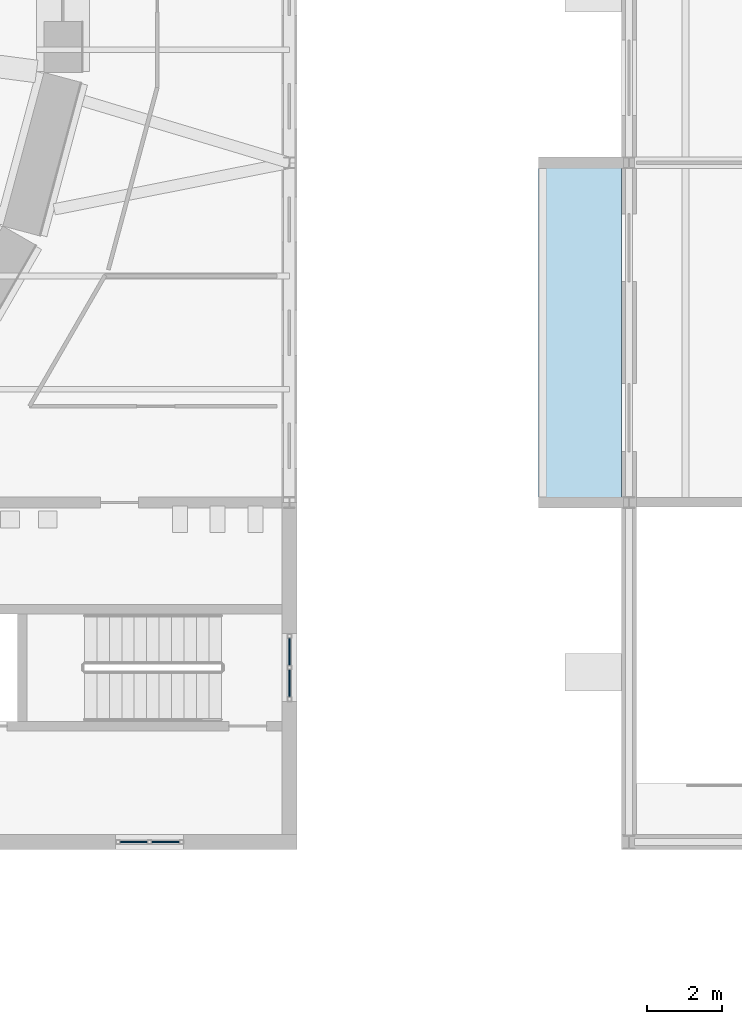
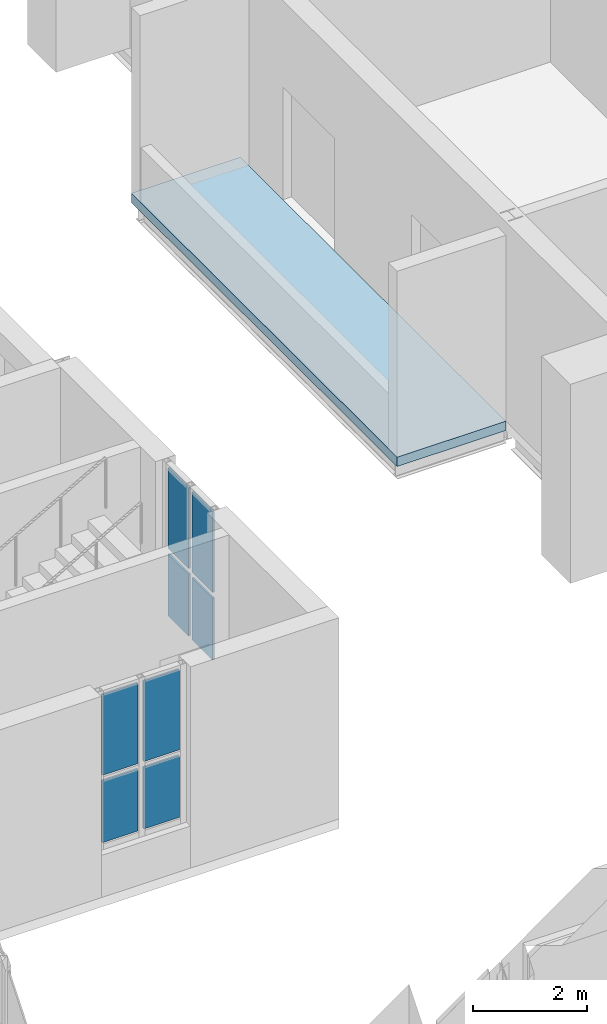
# One storey, part 68 of 131: 8 plates, 1 slab, 2 elements without a shape of their own.
"""IFC4 building model written with IfcOpenShell, lengths in metres."""

from ifc_helpers import new_model, si_unit, direction, frame, origin, origin_2d, place, context, subcontext, project, spatial, polyline, rectangle, outline, extrude, material, layer, layer_set, type_object, element, aggregate, save


model = new_model("IFC4")

# Units and contexts
model_context = context("Model", 3, precision=1e-05, world=origin(), true_north=direction((0.0, 1.0)))
body_context = subcontext(model_context, "Body", "Model", "MODEL_VIEW")
ifc_project = project(units=[si_unit("LENGTHUNIT", "METRE"), si_unit("AREAUNIT", "SQUARE_METRE"), si_unit("VOLUMEUNIT", "CUBIC_METRE"), si_unit("PLANEANGLEUNIT", "RADIAN"), si_unit("MASSUNIT", "GRAM", prefix="KILO")], contexts=[model_context])

# Site, building, storey
site_placement = place(None, origin())
site = spatial("IfcSite", under=ifc_project, at=site_placement, CompositionType="ELEMENT")
building_placement = place(site_placement, origin())
building = spatial("IfcBuilding", under=site, at=building_placement, Name="Golden Quay Civic Hall", CompositionType="ELEMENT")
storey_placement = place(building_placement, frame((0.0, 0.0, 9.89990234375)))
storey = spatial("IfcBuildingStorey", under=building, at=storey_placement, Name="L02", CompositionType="ELEMENT", Elevation=9.89990234375)

# Curtain wall, plates
ifc_material_1 = material(Name="Fire-resisting glass and steel", Category="steel")
curtain_wall_type = type_object("IfcCurtainWallType", Name="Fire-resisting glazed stair curtain wall EI 120", PredefinedType="NOTDEFINED", material=ifc_material_1)
curtain_wall_1_placement = place(storey_placement, origin())
curtain_wall_1 = element("IfcCurtainWall", 1, at=curtain_wall_1_placement, inside=storey, type_object=curtain_wall_type, Name="CW4 stair curtain wall", PredefinedType="NOTDEFINED")
ifc_material_2 = material(Name="Fire-resisting laminated glass", Category="glass")
ifc_layer_1 = layer(ifc_material_2, 0.0400390625)
ifc_layer_set_1 = layer_set([ifc_layer_1], Name="Fire-resisting glazed stair panel 40")
plate_type = type_object("IfcPlateType", Name="Fire-resisting glazed stair panel 40", PredefinedType="CURTAIN_PANEL", material=ifc_layer_set_1)
plate_1_placement = place(storey_placement, frame((103.8798828125, 63.0, 1.02001953125), z_axis=(0.0, 0.0, 1.0), x_axis=(1.0, 0.0, 0.0)))
plate_1 = element("IfcPlate", 2, at=plate_1_placement, type_object=plate_type, Name="CW4 panel 1.1", PredefinedType="CURTAIN_PANEL", context=body_context, shape_type="SweptSolid", body=[
    extrude(rectangle(XDim=0.719970703125, YDim=0.0400390625, at=origin_2d()), origin(), (0.0, 0.0, 1.0), 1.320068359375),
])
plate_2_placement = place(storey_placement, frame((103.8798828125, 63.0, 2.4599609375), z_axis=(0.0, 0.0, 1.0), x_axis=(1.0, 0.0, 0.0)))
plate_2 = element("IfcPlate", 3, at=plate_2_placement, type_object=plate_type, Name="CW4 panel 1.2", PredefinedType="CURTAIN_PANEL", context=body_context, shape_type="SweptSolid", body=[
    extrude(rectangle(XDim=0.719970703125, YDim=0.0400390625, at=origin_2d()), origin(), (0.0, 0.0, 1.0), 1.719970703125),
])
plate_3_placement = place(storey_placement, frame((104.719970703125, 63.0, 1.02001953125), z_axis=(0.0, 0.0, 1.0), x_axis=(1.0, 0.0, 0.0)))
plate_3 = element("IfcPlate", 4, at=plate_3_placement, type_object=plate_type, Name="CW4 panel 2.1", PredefinedType="CURTAIN_PANEL", context=body_context, shape_type="SweptSolid", body=[
    extrude(rectangle(XDim=0.719970703125, YDim=0.0400390625, at=origin_2d()), origin(), (0.0, 0.0, 1.0), 1.320068359375),
])
plate_4_placement = place(storey_placement, frame((104.719970703125, 63.0, 2.4599609375), z_axis=(0.0, 0.0, 1.0), x_axis=(1.0, 0.0, 0.0)))
plate_4 = element("IfcPlate", 5, at=plate_4_placement, type_object=plate_type, Name="CW4 panel 2.2", PredefinedType="CURTAIN_PANEL", context=body_context, shape_type="SweptSolid", body=[
    extrude(rectangle(XDim=0.719970703125, YDim=0.0400390625, at=origin_2d()), origin(), (0.0, 0.0, 1.0), 1.719970703125),
])
aggregate(curtain_wall_1, [plate_1, plate_2, plate_3, plate_4])

curtain_wall_2_placement = place(storey_placement, origin())
curtain_wall_2 = element("IfcCurtainWall", 6, at=curtain_wall_2_placement, inside=storey, type_object=curtain_wall_type, Name="CW4 stair curtain wall", PredefinedType="NOTDEFINED")
plate_5_placement = place(storey_placement, frame((108.0, 67.205078125, 1.02001953125), z_axis=(0.0, 0.0, 1.0), x_axis=(0.0, 1.0, 0.0)))
plate_5 = element("IfcPlate", 7, at=plate_5_placement, type_object=plate_type, Name="CW4 panel 1.1", PredefinedType="CURTAIN_PANEL", context=body_context, shape_type="SweptSolid", body=[
    extrude(rectangle(XDim=0.719970703125, YDim=0.0400390625, at=origin_2d()), origin(), (0.0, 0.0, 1.0), 1.320068359375),
])
plate_6_placement = place(storey_placement, frame((108.0, 67.205078125, 2.4599609375), z_axis=(0.0, 0.0, 1.0), x_axis=(0.0, 1.0, 0.0)))
plate_6 = element("IfcPlate", 8, at=plate_6_placement, type_object=plate_type, Name="CW4 panel 1.2", PredefinedType="CURTAIN_PANEL", context=body_context, shape_type="SweptSolid", body=[
    extrude(rectangle(XDim=0.719970703125, YDim=0.0400390625, at=origin_2d()), origin(), (0.0, 0.0, 1.0), 1.719970703125),
])
plate_7_placement = place(storey_placement, frame((108.0, 68.044921875, 1.02001953125), z_axis=(0.0, 0.0, 1.0), x_axis=(0.0, 1.0, 0.0)))
plate_7 = element("IfcPlate", 9, at=plate_7_placement, type_object=plate_type, Name="CW4 panel 2.1", PredefinedType="CURTAIN_PANEL", context=body_context, shape_type="SweptSolid", body=[
    extrude(rectangle(XDim=0.719970703125, YDim=0.0400390625, at=origin_2d()), origin(), (0.0, 0.0, 1.0), 1.320068359375),
])
plate_8_placement = place(storey_placement, frame((108.0, 68.044921875, 2.4599609375), z_axis=(0.0, 0.0, 1.0), x_axis=(0.0, 1.0, 0.0)))
plate_8 = element("IfcPlate", 10, at=plate_8_placement, type_object=plate_type, Name="CW4 panel 2.2", PredefinedType="CURTAIN_PANEL", context=body_context, shape_type="SweptSolid", body=[
    extrude(rectangle(XDim=0.719970703125, YDim=0.0400390625, at=origin_2d()), origin(), (0.0, 0.0, 1.0), 1.719970703125),
])
aggregate(curtain_wall_2, [plate_5, plate_6, plate_7, plate_8])

# Slab
ifc_material_3 = material(Name="Concrete C35/45", Category="concrete")
ifc_layer_2 = layer(ifc_material_3, 0.199951171875)
ifc_layer_set_2 = layer_set([ifc_layer_2], Name="Loggia deck 200")
slab_type = type_object("IfcSlabType", Name="Loggia deck 200", PredefinedType="FLOOR", material=ifc_layer_set_2)
slab_placement = place(storey_placement, frame((0.0, 0.0, -0.199951171875)))
element("IfcSlab", 11, at=slab_placement, inside=storey, type_object=slab_type, Name="Loggia deck 200 L02 10", PredefinedType="FLOOR", context=body_context, shape_type="SweptSolid", body=[
    extrude(outline(polyline([(116.800048828125, 71.85009765625), (116.800048828125, 81.14990234375), (114.60009765625, 81.14990234375), (114.60009765625, 71.85009765625), (116.800048828125, 71.85009765625)])), origin(), (0.0, 0.0, 1.0), 0.199951171875),
])

save(model, "model.ifc")
